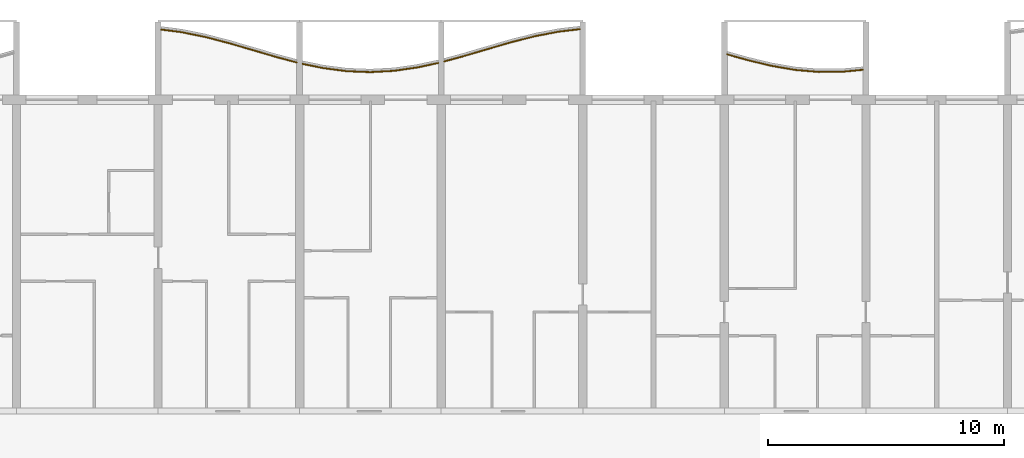
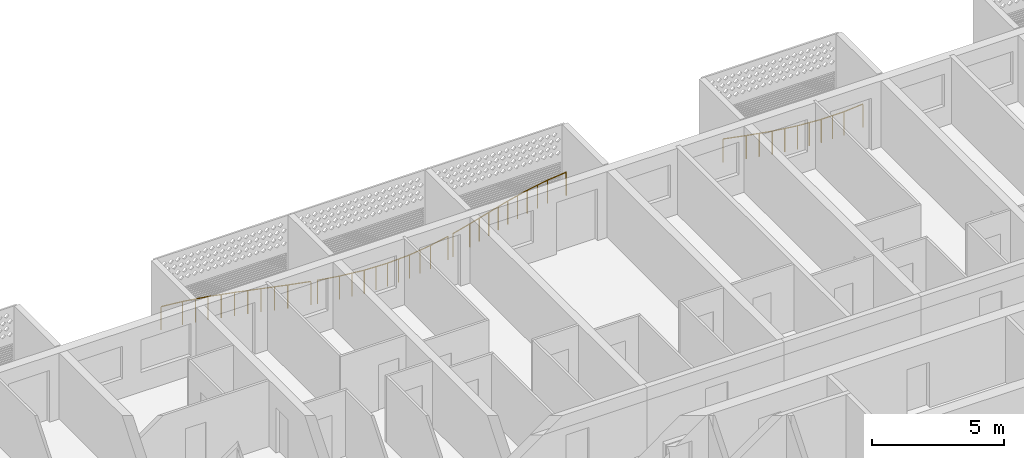
# One storey, part 22 of 27: 4 railings.
"""IFC4 building model written with IfcOpenShell, lengths in metres."""

import ifcopenshell
import ifcopenshell.guid

model = None  # the IFC model being written
_history = None  # IfcOwnerHistory: only IFC2X3 demands one
_inside = {}  # id of a spatial element -> (the spatial element, [elements in it])
_under = {}  # id of a project, library or spatial element -> (it, [spatial elements below it])
_declared = {}  # id of a project -> (the project, [libraries it declares])
_typed = {}  # id of a type object -> (the type object, [elements of that type])
_made_of = {}  # id of a material, layer set ... -> (it, [elements and type objects made of it])


def new_model(schema):
    """Start an empty IFC model of exactly this schema.

    Asked for "IFC4X3", IfcOpenShell would pick the latest addendum, in which some entities
    have other attributes; the version numbers below select the first issue.
    IFC2X3 requires an IfcOwnerHistory on every rooted entity: one is made here for all.
    """
    global model, _history
    if schema == "IFC4X3":
        model = ifcopenshell.file(schema_version=(4, 3, 0, 0))
    else:
        model = ifcopenshell.file(schema=schema)
    _inside.clear()
    _under.clear()
    _declared.clear()
    _typed.clear()
    _made_of.clear()
    _history = None
    if model.schema == "IFC2X3":
        org = make("IfcOrganization", Name="unknown")
        user = make(
            "IfcPersonAndOrganization",
            ThePerson=make("IfcPerson", FamilyName="unknown"),
            TheOrganization=org,
        )
        app = make(
            "IfcApplication",
            ApplicationDeveloper=org,
            Version="unknown",
            ApplicationFullName="unknown",
            ApplicationIdentifier="unknown",
        )
        _history = make(
            "IfcOwnerHistory",
            OwningUser=user,
            OwningApplication=app,
            ChangeAction="ADDED",
            CreationDate=0,
        )
    return model


def make(cls, **values):
    """One entity of the class cls with the attributes given. An attribute that is None is left unset."""
    return model.create_entity(
        cls, **{name: value for name, value in values.items() if value is not None}
    )


def rooted(cls, **values):
    """An entity with a GlobalId (a new one), such as an element, a storey or a relation."""
    return make(cls, GlobalId=ifcopenshell.guid.new(), OwnerHistory=_history, **values)


def si_unit(unit_type, name, prefix=None):
    """IfcSIUnit, for example si_unit("LENGTHUNIT", "METRE", prefix="MILLI")."""
    return make("IfcSIUnit", UnitType=unit_type, Prefix=prefix, Name=name)


def assignment(units):
    """IfcUnitAssignment: the units of a project."""
    return None if units is None else make("IfcUnitAssignment", Units=units)


def point(xyz):
    """IfcCartesianPoint."""
    return None if xyz is None else make("IfcCartesianPoint", Coordinates=xyz)


def direction(xyz):
    """IfcDirection."""
    return None if xyz is None else make("IfcDirection", DirectionRatios=xyz)


def frame(location, z_axis=None, x_axis=None):
    """IfcAxis2Placement3D, a coordinate frame: its origin and axes. An axis left out is left unset."""
    return make(
        "IfcAxis2Placement3D",
        Location=point(location),
        Axis=direction(z_axis),
        RefDirection=direction(x_axis),
    )


def frame_2d(location, x_axis=None):
    """IfcAxis2Placement2D, a coordinate frame in the plane: its origin and x axis."""
    return make(
        "IfcAxis2Placement2D", Location=point(location), RefDirection=direction(x_axis)
    )


def origin():
    """The frame at (0, 0, 0) with its axes left unset."""
    return frame((0.0, 0.0, 0.0))


def origin_2d():
    """The frame at (0, 0) in the plane with its x axis left unset."""
    return frame_2d((0.0, 0.0))


def place(relative_to, where):
    """IfcLocalPlacement: puts the frame where relative to a parent placement (None: the world)."""
    return make(
        "IfcLocalPlacement", PlacementRelTo=relative_to, RelativePlacement=where
    )


def context(
    kind, dimensions, precision=None, world=None, true_north=None, identifier=None
):
    """IfcGeometricRepresentationContext, for example the 3D "Model" context."""
    return make(
        "IfcGeometricRepresentationContext",
        ContextIdentifier=identifier,
        ContextType=kind,
        CoordinateSpaceDimension=dimensions,
        Precision=precision,
        WorldCoordinateSystem=world,
        TrueNorth=true_north,
    )


def subcontext(parent, identifier, kind, view, scale=None):
    """IfcGeometricRepresentationSubContext, for example "Body" below "Model"."""
    return make(
        "IfcGeometricRepresentationSubContext",
        ContextIdentifier=identifier,
        ContextType=kind,
        ParentContext=parent,
        TargetScale=scale,
        TargetView=view,
    )


def project(units=None, contexts=None):
    """IfcProject with its units and contexts."""
    return rooted(
        "IfcProject",
        Name="project",
        RepresentationContexts=contexts,
        UnitsInContext=assignment(units),
    )


def spatial(cls, under=None, at=None, **own):
    """A site, building, storey or space (cls), placed at a placement, below another one or the project."""
    s = rooted(cls, ObjectPlacement=at, **own)
    if under is not None:
        _under.setdefault(under.id(), (under, []))[1].append(s)
    return s


def profile(cls, at=None, kind="AREA", **sizes):
    """A parametric profile (cls). Its sizes go by their IFC names, for example OverallWidth=200.0."""
    return make(cls, ProfileType=kind, Position=at, **sizes)


def circle(**sizes):
    """IfcCircleProfileDef."""
    return profile("IfcCircleProfileDef", **sizes)


def extrude(swept, where, along, depth):
    """IfcExtrudedAreaSolid: the profile swept, set in the frame where, extruded along a direction by depth."""
    return make(
        "IfcExtrudedAreaSolid",
        SweptArea=swept,
        Position=where,
        ExtrudedDirection=direction(along),
        Depth=depth,
    )


def shape(context_of_items, identifier, shape_type, items):
    """IfcShapeRepresentation: the items that make up one representation, for example the "Body"."""
    return make(
        "IfcShapeRepresentation",
        ContextOfItems=context_of_items,
        RepresentationIdentifier=identifier,
        RepresentationType=shape_type,
        Items=items,
    )


def material(Name=None, Category=None):
    """IfcMaterial."""
    return make("IfcMaterial", Name=Name, Category=Category)


def made_of(thing, what):
    """Note that an element or type object is made of a material, layer set ...; save() writes the relation."""
    if what is not None:
        _made_of.setdefault(what.id(), (what, []))[1].append(thing)
    return thing


def type_object(cls, material=None, **own):
    """A type object (cls), such as IfcWallType, which elements share."""
    return made_of(rooted(cls, **own), material)


def element(
    cls,
    number,
    at=None,
    inside=None,
    cuts=None,
    type_object=None,
    material=None,
    context=None,
    identifier="Body",
    shape_type=None,
    held_by="IfcProductDefinitionShape",
    body=None,
    shapes=None,
    **own,
):
    """One element of the class cls, such as IfcWall. Its Tag is "e" and its number.

    at: its placement. inside: the storey or other place that contains it. cuts: it is an
    opening in that element (IfcRelVoidsElement). A single representation is given by context,
    identifier, shape_type and body (its items); several are given by shapes. held_by: the class
    of the entity that holds the representations. save() writes the other relations.
    """
    e = rooted(cls, Tag="e%d" % number, ObjectPlacement=at, **own)
    if body is not None:
        shapes = [shape(context, identifier, shape_type, body)]
    if shapes is not None:
        e.Representation = make(held_by, Representations=shapes)
    if inside is not None:
        _inside.setdefault(inside.id(), (inside, []))[1].append(e)
    if cuts is not None:
        rooted(
            "IfcRelVoidsElement", RelatingBuildingElement=cuts, RelatedOpeningElement=e
        )
    if type_object is not None:
        _typed.setdefault(type_object.id(), (type_object, []))[1].append(e)
    return made_of(e, material)


def aggregate(whole, parts):
    """IfcRelAggregates: a whole, such as a stair, and the parts it consists of."""
    return rooted("IfcRelAggregates", RelatingObject=whole, RelatedObjects=parts)


def save(model, path):
    """Write the relations noted so far, then the file.

    IfcRelAggregates (storeys below a building ...), IfcRelContainedInSpatialStructure (elements
    in a storey), IfcRelDefinesByType, IfcRelAssociatesMaterial and IfcRelDeclares: one each for
    every whole, place, type object, material and project.
    """
    for whole, parts in _under.values():
        aggregate(whole, parts)
    for where, things in _inside.values():
        rooted(
            "IfcRelContainedInSpatialStructure",
            RelatedElements=things,
            RelatingStructure=where,
        )
    for kind, things in _typed.values():
        rooted("IfcRelDefinesByType", RelatedObjects=things, RelatingType=kind)
    for what, things in _made_of.values():
        rooted("IfcRelAssociatesMaterial", RelatedObjects=things, RelatingMaterial=what)
    for by, libraries in _declared.values():
        rooted("IfcRelDeclares", RelatingContext=by, RelatedDefinitions=libraries)
    model.write(path)


model = new_model("IFC4")

# Units and contexts
model_context = context("Model", 3, precision=1e-05, world=origin(), true_north=direction((0.0, 1.0)))
body_context = subcontext(model_context, "Body", "Model", "MODEL_VIEW")
ifc_project = project(units=[si_unit("LENGTHUNIT", "METRE"), si_unit("AREAUNIT", "SQUARE_METRE"), si_unit("VOLUMEUNIT", "CUBIC_METRE"), si_unit("PLANEANGLEUNIT", "RADIAN"), si_unit("MASSUNIT", "GRAM", prefix="KILO")], contexts=[model_context])

# Site, building, storey
site_placement = place(None, origin())
site = spatial("IfcSite", under=ifc_project, at=site_placement, CompositionType="ELEMENT")
building_placement = place(site_placement, origin())
building = spatial("IfcBuilding", under=site, at=building_placement, Name="Poui Terraces", CompositionType="ELEMENT")
storey_placement = place(building_placement, frame((0.0, 0.0, 76.199951171875)))
storey = spatial("IfcBuildingStorey", under=building, at=storey_placement, Name="L20", CompositionType="ELEMENT", Elevation=76.199951171875)

# Railings
ifc_material = material(Name="Painted steel fretwork", Category="steel")
railing_type = type_object("IfcRailingType", Name="BALCONY GUARD 1100", PredefinedType="GUARDRAIL", material=ifc_material)
railing_1_placement = place(storey_placement, frame((42.125, 46.576171875, 0.0)))
element("IfcRailing", 1, at=railing_1_placement, inside=storey, type_object=railing_type, Name="BALCONY GUARD", PredefinedType="GUARDRAIL", context=body_context, shape_type="SweptSolid", body=[
    extrude(circle(Radius=0.02392578125, at=origin_2d()), frame((0.0, 0.0, 1.076171875), z_axis=(0.991758595578, -0.128120599819, 0.0), x_axis=(0.128120599819, 0.991758595578, 0.0)), (0.0, 0.0, 1.0), 0.88232421875),
    extrude(circle(Radius=0.02392578125, at=origin_2d()), frame((0.875, -0.113037109375, 1.076171875), z_axis=(0.980080566497, -0.198600310106, 0.0), x_axis=(0.198600310106, 0.980080566497, 0.0)), (0.0, 0.0, 1.0), 1.020263671875),
    extrude(circle(Radius=0.02392578125, at=origin_2d()), frame((1.875, -0.315673828125, 1.076171875), z_axis=(0.967647370695, -0.252306492164, 0.0), x_axis=(0.252306492164, 0.967647370695, 0.0)), (0.0, 0.0, 1.0), 1.033447265625),
    extrude(circle(Radius=0.02392578125, at=origin_2d()), frame((2.875, -0.576416015625, 1.076171875), z_axis=(0.959852890267, -0.280503884192, 0.0), x_axis=(0.280503884192, 0.959852890267, 0.0)), (0.0, 0.0, 1.0), 1.041748046875),
    extrude(circle(Radius=0.02392578125, at=origin_2d()), frame((3.875, -0.86865234375, 1.076171875), z_axis=(0.959473602222, -0.281798521356, 0.0), x_axis=(0.281798521356, 0.959473602222, 0.0)), (0.0, 0.0, 1.0), 1.042236328125),
    extrude(circle(Radius=0.02392578125, at=origin_2d()), frame((4.875, -1.162353515625, 1.076171875), z_axis=(0.966015382601, -0.258484584798, 0.0), x_axis=(0.258484584798, 0.966015382601, 0.0)), (0.0, 0.0, 1.0), 0.90576171875),
    extrude(circle(Radius=0.02099609375, at=origin_2d()), origin(), (0.0, 0.0, 1.0), 1.052001953125),
    extrude(circle(Radius=0.02099609375, at=origin_2d()), frame((0.875, -0.113037109375, 0.0)), (0.0, 0.0, 1.0), 1.052001953125),
    extrude(circle(Radius=0.02099609375, at=origin_2d()), frame((1.375, -0.21435546875, 0.0)), (0.0, 0.0, 1.0), 1.052001953125),
    extrude(circle(Radius=0.02099609375, at=origin_2d()), frame((1.875, -0.315673828125, 0.0)), (0.0, 0.0, 1.0), 1.052001953125),
    extrude(circle(Radius=0.02099609375, at=origin_2d()), frame((2.375, -0.446044921875, 0.0)), (0.0, 0.0, 1.0), 1.052001953125),
    extrude(circle(Radius=0.02099609375, at=origin_2d()), frame((2.875, -0.576416015625, 0.0)), (0.0, 0.0, 1.0), 1.052001953125),
    extrude(circle(Radius=0.02099609375, at=origin_2d()), frame((3.375, -0.72265625, 0.0)), (0.0, 0.0, 1.0), 1.052001953125),
    extrude(circle(Radius=0.02099609375, at=origin_2d()), frame((3.875, -0.86865234375, 0.0)), (0.0, 0.0, 1.0), 1.052001953125),
    extrude(circle(Radius=0.02099609375, at=origin_2d()), frame((4.375, -1.015625, 0.0)), (0.0, 0.0, 1.0), 1.052001953125),
    extrude(circle(Radius=0.02099609375, at=origin_2d()), frame((4.875, -1.162353515625, 0.0)), (0.0, 0.0, 1.0), 1.052001953125),
    extrude(circle(Radius=0.02099609375, at=origin_2d()), frame((5.75, -1.396484375, 0.0)), (0.0, 0.0, 1.0), 1.052001953125),
])
railing_2_placement = place(storey_placement, frame((48.125, 45.11962890625, 0.0)))
element("IfcRailing", 2, at=railing_2_placement, inside=storey, type_object=railing_type, Name="BALCONY GUARD", PredefinedType="GUARDRAIL", context=body_context, shape_type="SweptSolid", body=[
    extrude(circle(Radius=0.02392578125, at=origin_2d()), frame((0.0, 0.0, 1.076171875), z_axis=(0.979773441626, -0.200109977475, 0.0), x_axis=(0.200109977475, 0.979773441626, 0.0)), (0.0, 0.0, 1.0), 0.89306640625),
    extrude(circle(Radius=0.02392578125, at=origin_2d()), frame((0.875, -0.1787109375, 1.076171875), z_axis=(0.991546329967, -0.129753133023, 0.0), x_axis=(0.129753133023, 0.991546329967, 0.0)), (0.0, 0.0, 1.0), 1.008544921875),
    extrude(circle(Radius=0.02392578125, at=origin_2d()), frame((1.875, -0.3095703125, 1.076171875), z_axis=(0.99920912132, -0.03976344892, 0.0), x_axis=(0.03976344892, 0.99920912132, 0.0)), (0.0, 0.0, 1.0), 1.000732421875),
    extrude(circle(Radius=0.02392578125, at=origin_2d()), frame((2.875, -0.349365234375, 1.076171875), z_axis=(0.998467844587, 0.055335009942, 0.0), x_axis=(-0.055335009942, 0.998467844587, 0.0)), (0.0, 0.0, 1.0), 1.00146484375),
    extrude(circle(Radius=0.02392578125, at=origin_2d()), frame((3.875, -0.2939453125, 1.076171875), z_axis=(0.989647671833, 0.143518241472, 0.0), x_axis=(-0.143518241472, 0.989647671833, 0.0)), (0.0, 0.0, 1.0), 1.010498046875),
    extrude(circle(Radius=0.02392578125, at=origin_2d()), frame((4.875, -0.14892578125, 1.076171875), z_axis=(0.977522146276, 0.210832762018, 0.0), x_axis=(-0.210832762018, 0.977522146276, 0.0)), (0.0, 0.0, 1.0), 0.89501953125),
    extrude(circle(Radius=0.02099609375, at=origin_2d()), origin(), (0.0, 0.0, 1.0), 1.052001953125),
    extrude(circle(Radius=0.02099609375, at=origin_2d()), frame((0.875, -0.1787109375, 0.0)), (0.0, 0.0, 1.0), 1.052001953125),
    extrude(circle(Radius=0.02099609375, at=origin_2d()), frame((1.375, -0.244140625, 0.0)), (0.0, 0.0, 1.0), 1.052001953125),
    extrude(circle(Radius=0.02099609375, at=origin_2d()), frame((1.875, -0.3095703125, 0.0)), (0.0, 0.0, 1.0), 1.052001953125),
    extrude(circle(Radius=0.02099609375, at=origin_2d()), frame((2.375, -0.32958984375, 0.0)), (0.0, 0.0, 1.0), 1.052001953125),
    extrude(circle(Radius=0.02099609375, at=origin_2d()), frame((2.875, -0.349365234375, 0.0)), (0.0, 0.0, 1.0), 1.052001953125),
    extrude(circle(Radius=0.02099609375, at=origin_2d()), frame((3.375, -0.32177734375, 0.0)), (0.0, 0.0, 1.0), 1.052001953125),
    extrude(circle(Radius=0.02099609375, at=origin_2d()), frame((3.875, -0.2939453125, 0.0)), (0.0, 0.0, 1.0), 1.052001953125),
    extrude(circle(Radius=0.02099609375, at=origin_2d()), frame((4.375, -0.221435546875, 0.0)), (0.0, 0.0, 1.0), 1.052001953125),
    extrude(circle(Radius=0.02099609375, at=origin_2d()), frame((4.875, -0.14892578125, 0.0)), (0.0, 0.0, 1.0), 1.052001953125),
    extrude(circle(Radius=0.02099609375, at=origin_2d()), frame((5.75, 0.039794921875, 0.0)), (0.0, 0.0, 1.0), 1.052001953125),
])
railing_3_placement = place(storey_placement, frame((54.125, 45.2216796875, 0.0)))
element("IfcRailing", 3, at=railing_3_placement, inside=storey, type_object=railing_type, Name="BALCONY GUARD", PredefinedType="GUARDRAIL", context=body_context, shape_type="SweptSolid", body=[
    extrude(circle(Radius=0.02392578125, at=origin_2d()), frame((0.0, 0.0, 1.076171875), z_axis=(0.964384039169, 0.264506001815, 0.0), x_axis=(-0.264506001815, 0.964384039169, 0.0)), (0.0, 0.0, 1.0), 0.9072265625),
    extrude(circle(Radius=0.02392578125, at=origin_2d()), frame((0.875, 0.239990234375, 1.076171875), z_axis=(0.959029275123, 0.283306988012, 0.0), x_axis=(-0.283306988012, 0.959029275123, 0.0)), (0.0, 0.0, 1.0), 1.042724609375),
    extrude(circle(Radius=0.02392578125, at=origin_2d()), frame((1.875, 0.535400390625, 1.076171875), z_axis=(0.960669700127, 0.277693585193, 0.0), x_axis=(-0.277693585193, 0.960669700127, 0.0)), (0.0, 0.0, 1.0), 1.041015625),
    extrude(circle(Radius=0.02392578125, at=origin_2d()), frame((2.875, 0.824462890625, 1.076171875), z_axis=(0.969470524151, 0.245207876714, 0.0), x_axis=(-0.245207876714, 0.969470524151, 0.0)), (0.0, 0.0, 1.0), 1.031494140625),
    extrude(circle(Radius=0.02392578125, at=origin_2d()), frame((3.875, 1.077392578125, 1.076171875), z_axis=(0.982302864177, 0.187299447491, 0.0), x_axis=(-0.187299447491, 0.982302864177, 0.0)), (0.0, 0.0, 1.0), 1.01806640625),
    extrude(circle(Radius=0.02392578125, at=origin_2d()), frame((4.875, 1.26806640625, 1.076171875), z_axis=(0.99348881845, 0.113929660821, 0.0), x_axis=(-0.113929660821, 0.99348881845, 0.0)), (0.0, 0.0, 1.0), 0.880615234375),
    extrude(circle(Radius=0.02099609375, at=origin_2d()), origin(), (0.0, 0.0, 1.0), 1.052001953125),
    extrude(circle(Radius=0.02099609375, at=origin_2d()), frame((0.875, 0.239990234375, 0.0)), (0.0, 0.0, 1.0), 1.052001953125),
    extrude(circle(Radius=0.02099609375, at=origin_2d()), frame((1.375, 0.3876953125, 0.0)), (0.0, 0.0, 1.0), 1.052001953125),
    extrude(circle(Radius=0.02099609375, at=origin_2d()), frame((1.875, 0.535400390625, 0.0)), (0.0, 0.0, 1.0), 1.052001953125),
    extrude(circle(Radius=0.02099609375, at=origin_2d()), frame((2.375, 0.679931640625, 0.0)), (0.0, 0.0, 1.0), 1.052001953125),
    extrude(circle(Radius=0.02099609375, at=origin_2d()), frame((2.875, 0.824462890625, 0.0)), (0.0, 0.0, 1.0), 1.052001953125),
    extrude(circle(Radius=0.02099609375, at=origin_2d()), frame((3.375, 0.950927734375, 0.0)), (0.0, 0.0, 1.0), 1.052001953125),
    extrude(circle(Radius=0.02099609375, at=origin_2d()), frame((3.875, 1.077392578125, 0.0)), (0.0, 0.0, 1.0), 1.052001953125),
    extrude(circle(Radius=0.02099609375, at=origin_2d()), frame((4.375, 1.1728515625, 0.0)), (0.0, 0.0, 1.0), 1.052001953125),
    extrude(circle(Radius=0.02099609375, at=origin_2d()), frame((4.875, 1.26806640625, 0.0)), (0.0, 0.0, 1.0), 1.052001953125),
    extrude(circle(Radius=0.02099609375, at=origin_2d()), frame((5.75, 1.368408203125, 0.0)), (0.0, 0.0, 1.0), 1.052001953125),
])
railing_4_placement = place(storey_placement, frame((66.125, 45.522216796875, 0.0)))
element("IfcRailing", 4, at=railing_4_placement, inside=storey, type_object=railing_type, Name="BALCONY GUARD", PredefinedType="GUARDRAIL", context=body_context, shape_type="SweptSolid", body=[
    extrude(circle(Radius=0.02392578125, at=origin_2d()), frame((0.0, 0.0, 1.076171875), z_axis=(0.962650940154, -0.270745576918, 0.0), x_axis=(0.270745576918, 0.962650940154, 0.0)), (0.0, 0.0, 1.0), 0.908935546875),
    extrude(circle(Radius=0.02392578125, at=origin_2d()), frame((0.875, -0.24609375, 1.076171875), z_axis=(0.972497106951, -0.232914956523, 0.0), x_axis=(0.232914956523, 0.972497106951, 0.0)), (0.0, 0.0, 1.0), 1.0283203125),
    extrude(circle(Radius=0.02392578125, at=origin_2d()), frame((1.875, -0.485595703125, 1.076171875), z_axis=(0.98554889076, -0.169391215599, 0.0), x_axis=(0.169391215599, 0.98554889076, 0.0)), (0.0, 0.0, 1.0), 1.0146484375),
    extrude(circle(Radius=0.02392578125, at=origin_2d()), frame((2.875, -0.657470703125, 1.076171875), z_axis=(0.996286084847, -0.086104803231, 0.0), x_axis=(0.086104803231, 0.996286084847, 0.0)), (0.0, 0.0, 1.0), 1.003662109375),
    extrude(circle(Radius=0.02392578125, at=origin_2d()), frame((3.875, -0.743896484375, 1.076171875), z_axis=(0.999967546851, 0.008056379162, 0.0), x_axis=(-0.008056379162, 0.999967546851, 0.0)), (0.0, 0.0, 1.0), 1.0),
    extrude(circle(Radius=0.02392578125, at=origin_2d()), frame((4.875, -0.73583984375, 1.076171875), z_axis=(0.995425298545, 0.095543053209, 0.0), x_axis=(-0.095543053209, 0.995425298545, 0.0)), (0.0, 0.0, 1.0), 0.87890625),
    extrude(circle(Radius=0.02099609375, at=origin_2d()), origin(), (0.0, 0.0, 1.0), 1.052001953125),
    extrude(circle(Radius=0.02099609375, at=origin_2d()), frame((0.875, -0.24609375, 0.0)), (0.0, 0.0, 1.0), 1.052001953125),
    extrude(circle(Radius=0.02099609375, at=origin_2d()), frame((1.375, -0.36572265625, 0.0)), (0.0, 0.0, 1.0), 1.052001953125),
    extrude(circle(Radius=0.02099609375, at=origin_2d()), frame((1.875, -0.485595703125, 0.0)), (0.0, 0.0, 1.0), 1.052001953125),
    extrude(circle(Radius=0.02099609375, at=origin_2d()), frame((2.375, -0.571533203125, 0.0)), (0.0, 0.0, 1.0), 1.052001953125),
    extrude(circle(Radius=0.02099609375, at=origin_2d()), frame((2.875, -0.657470703125, 0.0)), (0.0, 0.0, 1.0), 1.052001953125),
    extrude(circle(Radius=0.02099609375, at=origin_2d()), frame((3.375, -0.70068359375, 0.0)), (0.0, 0.0, 1.0), 1.052001953125),
    extrude(circle(Radius=0.02099609375, at=origin_2d()), frame((3.875, -0.743896484375, 0.0)), (0.0, 0.0, 1.0), 1.052001953125),
    extrude(circle(Radius=0.02099609375, at=origin_2d()), frame((4.375, -0.73974609375, 0.0)), (0.0, 0.0, 1.0), 1.052001953125),
    extrude(circle(Radius=0.02099609375, at=origin_2d()), frame((4.875, -0.73583984375, 0.0)), (0.0, 0.0, 1.0), 1.052001953125),
    extrude(circle(Radius=0.02099609375, at=origin_2d()), frame((5.75, -0.65185546875, 0.0)), (0.0, 0.0, 1.0), 1.052001953125),
])

save(model, "model.ifc")
